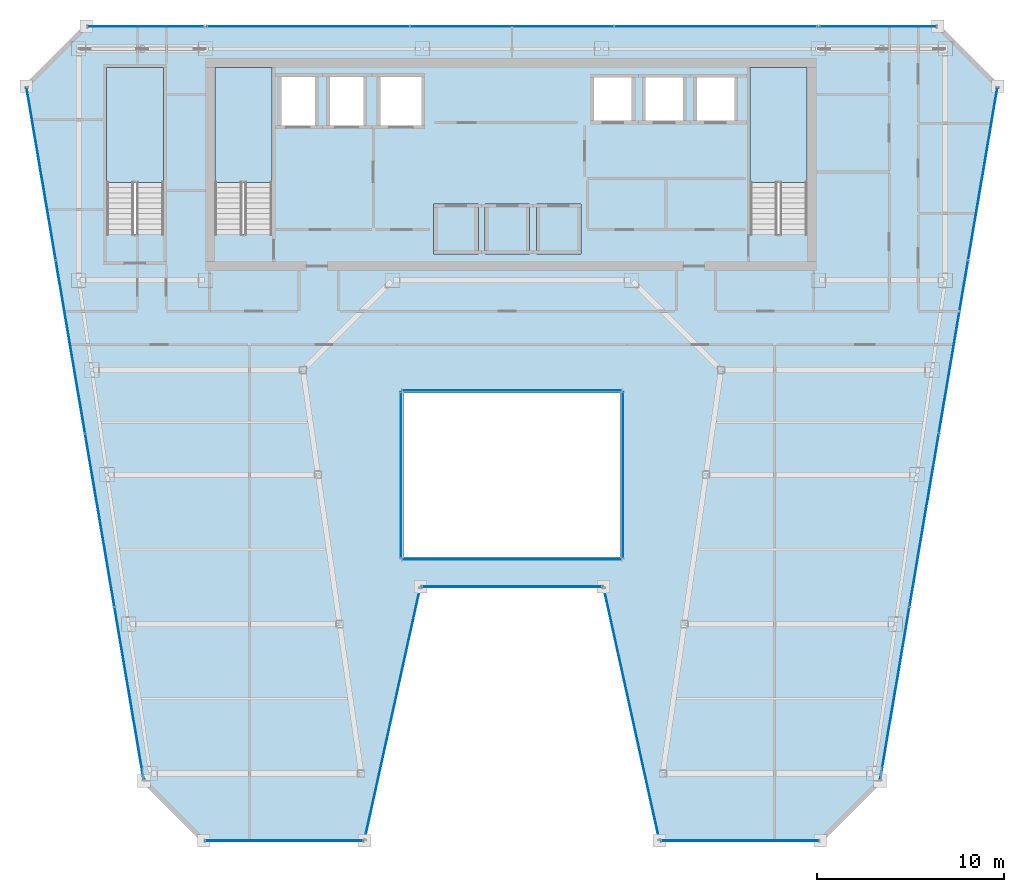
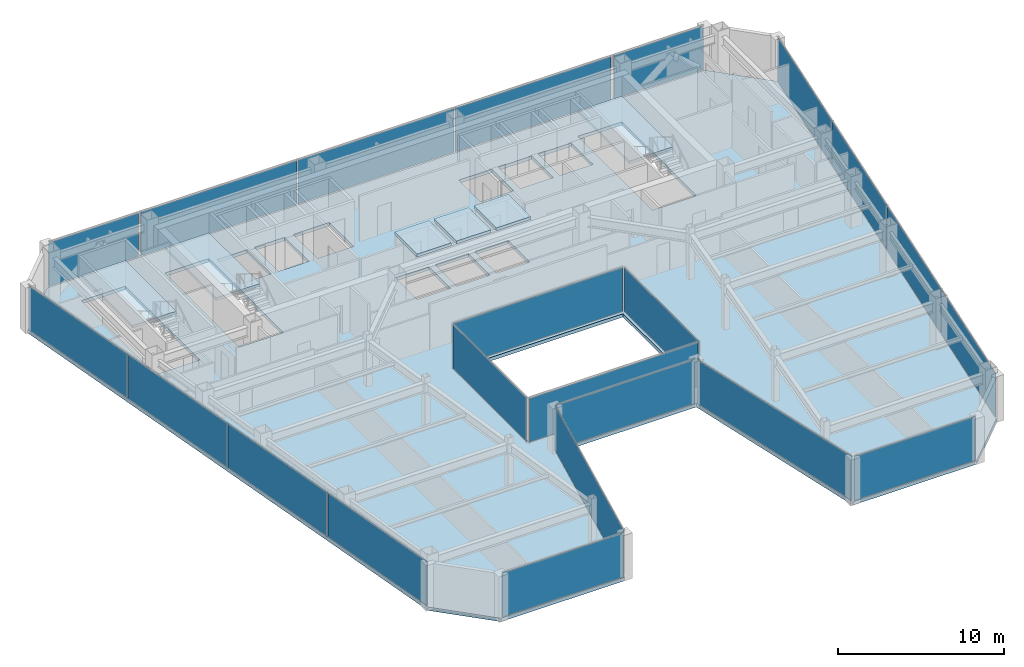
# One storey, part 26 of 34: 22 plates, 7 slabs, 17 elements without a shape of their own.
"""IFC4 building model written with IfcOpenShell, lengths in metres."""

import ifcopenshell
import ifcopenshell.guid

model = None  # the IFC model being written
_history = None  # IfcOwnerHistory: only IFC2X3 demands one
_inside = {}  # id of a spatial element -> (the spatial element, [elements in it])
_under = {}  # id of a project, library or spatial element -> (it, [spatial elements below it])
_declared = {}  # id of a project -> (the project, [libraries it declares])
_typed = {}  # id of a type object -> (the type object, [elements of that type])
_made_of = {}  # id of a material, layer set ... -> (it, [elements and type objects made of it])


def new_model(schema):
    """Start an empty IFC model of exactly this schema.

    Asked for "IFC4X3", IfcOpenShell would pick the latest addendum, in which some entities
    have other attributes; the version numbers below select the first issue.
    IFC2X3 requires an IfcOwnerHistory on every rooted entity: one is made here for all.
    """
    global model, _history
    if schema == "IFC4X3":
        model = ifcopenshell.file(schema_version=(4, 3, 0, 0))
    else:
        model = ifcopenshell.file(schema=schema)
    _inside.clear()
    _under.clear()
    _declared.clear()
    _typed.clear()
    _made_of.clear()
    _history = None
    if model.schema == "IFC2X3":
        org = make("IfcOrganization", Name="unknown")
        user = make(
            "IfcPersonAndOrganization",
            ThePerson=make("IfcPerson", FamilyName="unknown"),
            TheOrganization=org,
        )
        app = make(
            "IfcApplication",
            ApplicationDeveloper=org,
            Version="unknown",
            ApplicationFullName="unknown",
            ApplicationIdentifier="unknown",
        )
        _history = make(
            "IfcOwnerHistory",
            OwningUser=user,
            OwningApplication=app,
            ChangeAction="ADDED",
            CreationDate=0,
        )
    return model


def make(cls, **values):
    """One entity of the class cls with the attributes given. An attribute that is None is left unset."""
    return model.create_entity(
        cls, **{name: value for name, value in values.items() if value is not None}
    )


def rooted(cls, **values):
    """An entity with a GlobalId (a new one), such as an element, a storey or a relation."""
    return make(cls, GlobalId=ifcopenshell.guid.new(), OwnerHistory=_history, **values)


def si_unit(unit_type, name, prefix=None):
    """IfcSIUnit, for example si_unit("LENGTHUNIT", "METRE", prefix="MILLI")."""
    return make("IfcSIUnit", UnitType=unit_type, Prefix=prefix, Name=name)


def assignment(units):
    """IfcUnitAssignment: the units of a project."""
    return None if units is None else make("IfcUnitAssignment", Units=units)


def point(xyz):
    """IfcCartesianPoint."""
    return None if xyz is None else make("IfcCartesianPoint", Coordinates=xyz)


def direction(xyz):
    """IfcDirection."""
    return None if xyz is None else make("IfcDirection", DirectionRatios=xyz)


def frame(location, z_axis=None, x_axis=None):
    """IfcAxis2Placement3D, a coordinate frame: its origin and axes. An axis left out is left unset."""
    return make(
        "IfcAxis2Placement3D",
        Location=point(location),
        Axis=direction(z_axis),
        RefDirection=direction(x_axis),
    )


def frame_2d(location, x_axis=None):
    """IfcAxis2Placement2D, a coordinate frame in the plane: its origin and x axis."""
    return make(
        "IfcAxis2Placement2D", Location=point(location), RefDirection=direction(x_axis)
    )


def origin():
    """The frame at (0, 0, 0) with its axes left unset."""
    return frame((0.0, 0.0, 0.0))


def origin_2d():
    """The frame at (0, 0) in the plane with its x axis left unset."""
    return frame_2d((0.0, 0.0))


def place(relative_to, where):
    """IfcLocalPlacement: puts the frame where relative to a parent placement (None: the world)."""
    return make(
        "IfcLocalPlacement", PlacementRelTo=relative_to, RelativePlacement=where
    )


def context(
    kind, dimensions, precision=None, world=None, true_north=None, identifier=None
):
    """IfcGeometricRepresentationContext, for example the 3D "Model" context."""
    return make(
        "IfcGeometricRepresentationContext",
        ContextIdentifier=identifier,
        ContextType=kind,
        CoordinateSpaceDimension=dimensions,
        Precision=precision,
        WorldCoordinateSystem=world,
        TrueNorth=true_north,
    )


def subcontext(parent, identifier, kind, view, scale=None):
    """IfcGeometricRepresentationSubContext, for example "Body" below "Model"."""
    return make(
        "IfcGeometricRepresentationSubContext",
        ContextIdentifier=identifier,
        ContextType=kind,
        ParentContext=parent,
        TargetScale=scale,
        TargetView=view,
    )


def project(units=None, contexts=None):
    """IfcProject with its units and contexts."""
    return rooted(
        "IfcProject",
        Name="project",
        RepresentationContexts=contexts,
        UnitsInContext=assignment(units),
    )


def spatial(cls, under=None, at=None, **own):
    """A site, building, storey or space (cls), placed at a placement, below another one or the project."""
    s = rooted(cls, ObjectPlacement=at, **own)
    if under is not None:
        _under.setdefault(under.id(), (under, []))[1].append(s)
    return s


def polyline(points):
    """IfcPolyline through the points."""
    return make("IfcPolyline", Points=[point(p) for p in points])


def profile(cls, at=None, kind="AREA", **sizes):
    """A parametric profile (cls). Its sizes go by their IFC names, for example OverallWidth=200.0."""
    return make(cls, ProfileType=kind, Position=at, **sizes)


def rectangle(**sizes):
    """IfcRectangleProfileDef."""
    return profile("IfcRectangleProfileDef", **sizes)


def outline(outer, holes=None, kind="AREA"):
    """IfcArbitraryClosedProfileDef: a profile drawn as a closed curve; with holes, ...WithVoids."""
    if holes is None:
        return make("IfcArbitraryClosedProfileDef", ProfileType=kind, OuterCurve=outer)
    return make(
        "IfcArbitraryProfileDefWithVoids",
        ProfileType=kind,
        OuterCurve=outer,
        InnerCurves=holes,
    )


def extrude(swept, where, along, depth):
    """IfcExtrudedAreaSolid: the profile swept, set in the frame where, extruded along a direction by depth."""
    return make(
        "IfcExtrudedAreaSolid",
        SweptArea=swept,
        Position=where,
        ExtrudedDirection=direction(along),
        Depth=depth,
    )


def shape(context_of_items, identifier, shape_type, items):
    """IfcShapeRepresentation: the items that make up one representation, for example the "Body"."""
    return make(
        "IfcShapeRepresentation",
        ContextOfItems=context_of_items,
        RepresentationIdentifier=identifier,
        RepresentationType=shape_type,
        Items=items,
    )


def material(Name=None, Category=None):
    """IfcMaterial."""
    return make("IfcMaterial", Name=Name, Category=Category)


def layer(
    of_material, thickness, ventilated=None, Name=None, Category=None, Priority=None
):
    """IfcMaterialLayer: one layer of a wall or slab, of a material (None: an air gap)."""
    return make(
        "IfcMaterialLayer",
        Material=of_material,
        LayerThickness=thickness,
        IsVentilated=ventilated,
        Name=Name,
        Category=Category,
        Priority=Priority,
    )


def layer_set(layers, Name=None):
    """IfcMaterialLayerSet."""
    return make("IfcMaterialLayerSet", MaterialLayers=layers, LayerSetName=Name)


def made_of(thing, what):
    """Note that an element or type object is made of a material, layer set ...; save() writes the relation."""
    if what is not None:
        _made_of.setdefault(what.id(), (what, []))[1].append(thing)
    return thing


def type_object(cls, material=None, **own):
    """A type object (cls), such as IfcWallType, which elements share."""
    return made_of(rooted(cls, **own), material)


def element(
    cls,
    number,
    at=None,
    inside=None,
    cuts=None,
    type_object=None,
    material=None,
    context=None,
    identifier="Body",
    shape_type=None,
    held_by="IfcProductDefinitionShape",
    body=None,
    shapes=None,
    **own,
):
    """One element of the class cls, such as IfcWall. Its Tag is "e" and its number.

    at: its placement. inside: the storey or other place that contains it. cuts: it is an
    opening in that element (IfcRelVoidsElement). A single representation is given by context,
    identifier, shape_type and body (its items); several are given by shapes. held_by: the class
    of the entity that holds the representations. save() writes the other relations.
    """
    e = rooted(cls, Tag="e%d" % number, ObjectPlacement=at, **own)
    if body is not None:
        shapes = [shape(context, identifier, shape_type, body)]
    if shapes is not None:
        e.Representation = make(held_by, Representations=shapes)
    if inside is not None:
        _inside.setdefault(inside.id(), (inside, []))[1].append(e)
    if cuts is not None:
        rooted(
            "IfcRelVoidsElement", RelatingBuildingElement=cuts, RelatedOpeningElement=e
        )
    if type_object is not None:
        _typed.setdefault(type_object.id(), (type_object, []))[1].append(e)
    return made_of(e, material)


def aggregate(whole, parts):
    """IfcRelAggregates: a whole, such as a stair, and the parts it consists of."""
    return rooted("IfcRelAggregates", RelatingObject=whole, RelatedObjects=parts)


def save(model, path):
    """Write the relations noted so far, then the file.

    IfcRelAggregates (storeys below a building ...), IfcRelContainedInSpatialStructure (elements
    in a storey), IfcRelDefinesByType, IfcRelAssociatesMaterial and IfcRelDeclares: one each for
    every whole, place, type object, material and project.
    """
    for whole, parts in _under.values():
        aggregate(whole, parts)
    for where, things in _inside.values():
        rooted(
            "IfcRelContainedInSpatialStructure",
            RelatedElements=things,
            RelatingStructure=where,
        )
    for kind, things in _typed.values():
        rooted("IfcRelDefinesByType", RelatedObjects=things, RelatingType=kind)
    for what, things in _made_of.values():
        rooted("IfcRelAssociatesMaterial", RelatedObjects=things, RelatingMaterial=what)
    for by, libraries in _declared.values():
        rooted("IfcRelDeclares", RelatingContext=by, RelatedDefinitions=libraries)
    model.write(path)


model = new_model("IFC4")

# Units and contexts
model_context = context("Model", 3, precision=1e-05, world=origin(), true_north=direction((0.0, 1.0)))
body_context = subcontext(model_context, "Body", "Model", "MODEL_VIEW")
ifc_project = project(units=[si_unit("LENGTHUNIT", "METRE"), si_unit("AREAUNIT", "SQUARE_METRE"), si_unit("VOLUMEUNIT", "CUBIC_METRE"), si_unit("PLANEANGLEUNIT", "RADIAN"), si_unit("MASSUNIT", "GRAM", prefix="KILO")], contexts=[model_context])

# Site, building, storey
site_placement = place(None, origin())
site = spatial("IfcSite", under=ifc_project, at=site_placement, CompositionType="ELEMENT")
building_placement = place(site_placement, origin())
building = spatial("IfcBuilding", under=site, at=building_placement, Name="Saevonmaru Cultural Tower", CompositionType="ELEMENT")
storey_placement = place(building_placement, frame((0.0, 0.0, 220.800048828125)))
storey = spatial("IfcBuildingStorey", under=building, at=storey_placement, Name="L51", CompositionType="ELEMENT", Elevation=220.800048828125)

# Curtain wall, plate
ifc_material_1 = material(Name="Satin Bronze Anodised Aluminium", Category="aluminium")
curtain_wall_type_1 = type_object("IfcCurtainWallType", Name="CW-ATR-GLZ", PredefinedType="NOTDEFINED", material=ifc_material_1)
curtain_wall_1_placement = place(storey_placement, origin())
curtain_wall_1 = element("IfcCurtainWall", 1, at=curtain_wall_1_placement, inside=storey, type_object=curtain_wall_type_1, Name="L51 Vertical Atrium Glazed Smoke Screen 1", PredefinedType="NOTDEFINED")
ifc_material_2 = material(Name="Fire-Rated Laminated Atrium Glass", Category="glass")
ifc_layer_1 = layer(ifc_material_2, 0.031982421875, Name="Fire-Rated Laminated Atrium Glass")
ifc_layer_set_1 = layer_set([ifc_layer_1], Name="Fire-Rated Laminated Atrium Glass")
plate_type_1 = type_object("IfcPlateType", Name="PN-GLZ-ATR-INT", PredefinedType="CURTAIN_PANEL", material=ifc_layer_set_1)
plate_1_placement = place(storey_placement, frame((30.0, 27.449951171875, 0.06689453125), z_axis=(0.0, 0.0, 1.0), x_axis=(1.0, 0.0, 0.0)))
plate_1 = element("IfcPlate", 2, at=plate_1_placement, type_object=plate_type_1, Name="CW-ATR-L51-1 panel 1.1", PredefinedType="CURTAIN_PANEL", context=body_context, shape_type="SweptSolid", body=[
    extrude(rectangle(XDim=11.7109375, YDim=0.031982421875, at=origin_2d()), origin(), (0.0, 0.0, 1.0), 3.216064453125),
])
aggregate(curtain_wall_1, [plate_1])

curtain_wall_2_placement = place(storey_placement, origin())
curtain_wall_2 = element("IfcCurtainWall", 3, at=curtain_wall_2_placement, inside=storey, type_object=curtain_wall_type_1, Name="L51 Vertical Atrium Glazed Smoke Screen 2", PredefinedType="NOTDEFINED")
plate_2_placement = place(storey_placement, frame((35.949951171875, 31.97998046875, 0.06689453125), z_axis=(0.0, 0.0, 1.0), x_axis=(0.0, 1.0, 0.0)))
plate_2 = element("IfcPlate", 4, at=plate_2_placement, type_object=plate_type_1, Name="CW-ATR-L51-2 panel 1.1", PredefinedType="CURTAIN_PANEL", context=body_context, shape_type="SweptSolid", body=[
    extrude(rectangle(XDim=8.87109375, YDim=0.031982421875, at=origin_2d()), origin(), (0.0, 0.0, 1.0), 3.216064453125),
])
aggregate(curtain_wall_2, [plate_2])

curtain_wall_3_placement = place(storey_placement, origin())
curtain_wall_3 = element("IfcCurtainWall", 5, at=curtain_wall_3_placement, inside=storey, type_object=curtain_wall_type_1, Name="L51 Vertical Atrium Glazed Smoke Screen 3", PredefinedType="NOTDEFINED")
plate_3_placement = place(storey_placement, frame((30.0, 36.510009765625, 0.06689453125), z_axis=(0.0, 0.0, 1.0), x_axis=(-1.0, 0.0, 0.0)))
plate_3 = element("IfcPlate", 6, at=plate_3_placement, type_object=plate_type_1, Name="CW-ATR-L51-3 panel 1.1", PredefinedType="CURTAIN_PANEL", context=body_context, shape_type="SweptSolid", body=[
    extrude(rectangle(XDim=11.7109375, YDim=0.031982421875, at=origin_2d()), origin(), (0.0, 0.0, 1.0), 3.216064453125),
])
aggregate(curtain_wall_3, [plate_3])

curtain_wall_4_placement = place(storey_placement, origin())
curtain_wall_4 = element("IfcCurtainWall", 7, at=curtain_wall_4_placement, inside=storey, type_object=curtain_wall_type_1, Name="L51 Vertical Atrium Glazed Smoke Screen 4", PredefinedType="NOTDEFINED")
plate_4_placement = place(storey_placement, frame((24.050048828125, 31.97998046875, 0.06689453125), z_axis=(0.0, 0.0, 1.0), x_axis=(0.0, -1.0, 0.0)))
plate_4 = element("IfcPlate", 8, at=plate_4_placement, type_object=plate_type_1, Name="CW-ATR-L51-4 panel 1.1", PredefinedType="CURTAIN_PANEL", context=body_context, shape_type="SweptSolid", body=[
    extrude(rectangle(XDim=8.87109375, YDim=0.031982421875, at=origin_2d()), origin(), (0.0, 0.0, 1.0), 3.216064453125),
])
aggregate(curtain_wall_4, [plate_4])

curtain_wall_type_2 = type_object("IfcCurtainWallType", Name="CW-TYP-B", PredefinedType="NOTDEFINED", material=ifc_material_1)
curtain_wall_5_placement = place(storey_placement, origin())
curtain_wall_5 = element("IfcCurtainWall", 9, at=curtain_wall_5_placement, inside=storey, type_object=curtain_wall_type_2, Name="L51 Unitised Curtain Wall E2", PredefinedType="NOTDEFINED")
ifc_material_3 = material(Name="Triple Silver Low-E Insulating Glass", Category="glass")
ifc_layer_2 = layer(ifc_material_3, 0.035888671875, Name="Triple Silver Low-E Insulating Glass")
ifc_layer_set_2 = layer_set([ifc_layer_2], Name="Triple Silver Low-E Insulating Glass")
plate_type_2 = type_object("IfcPlateType", Name="PN-GLZ-IGU", PredefinedType="CURTAIN_PANEL", material=ifc_layer_set_2)
plate_5_placement = place(storey_placement, frame((17.7978515625, 12.39990234375, 0.06689453125), z_axis=(0.0, 0.0, 1.0), x_axis=(1.0, 0.0, 0.0)))
plate_5 = element("IfcPlate", 10, at=plate_5_placement, type_object=plate_type_2, Name="CW-TW-L51-E2 panel 1.1", PredefinedType="CURTAIN_PANEL", context=body_context, shape_type="SweptSolid", body=[
    extrude(rectangle(XDim=8.410888671875, YDim=0.035888671875, at=origin_2d()), origin(), (0.0, 0.0, 1.0), 3.216064453125),
])
aggregate(curtain_wall_5, [plate_5])

curtain_wall_6_placement = place(storey_placement, origin())
curtain_wall_6 = element("IfcCurtainWall", 11, at=curtain_wall_6_placement, inside=storey, type_object=curtain_wall_type_2, Name="L51 Unitised Curtain Wall E3", PredefinedType="NOTDEFINED")
plate_6_placement = place(storey_placement, frame((23.597900390625, 19.199951171875, 0.06689453125), z_axis=(0.0, 0.0, 1.0), x_axis=(0.215413319953, 0.976522965212, 0.0)))
plate_6 = element("IfcPlate", 12, at=plate_6_placement, type_object=plate_type_2, Name="CW-TW-L51-E3 panel 1.1", PredefinedType="CURTAIN_PANEL", context=body_context, shape_type="SweptSolid", body=[
    extrude(rectangle(XDim=13.738037109375, YDim=0.035888671875, at=origin_2d()), origin(), (0.0, 0.0, 1.0), 3.216064453125),
])
aggregate(curtain_wall_6, [plate_6])

curtain_wall_7_placement = place(storey_placement, origin())
curtain_wall_7 = element("IfcCurtainWall", 13, at=curtain_wall_7_placement, inside=storey, type_object=curtain_wall_type_2, Name="L51 Unitised Curtain Wall E4", PredefinedType="NOTDEFINED")
plate_7_placement = place(storey_placement, frame((30.0, 26.0, 0.06689453125), z_axis=(0.0, 0.0, 1.0), x_axis=(1.0, 0.0, 0.0)))
plate_7 = element("IfcPlate", 14, at=plate_7_placement, type_object=plate_type_2, Name="CW-TW-L51-E4 panel 1.1", PredefinedType="CURTAIN_PANEL", context=body_context, shape_type="SweptSolid", body=[
    extrude(rectangle(XDim=9.615478515625, YDim=0.035888671875, at=origin_2d()), origin(), (0.0, 0.0, 1.0), 3.216064453125),
])
aggregate(curtain_wall_7, [plate_7])

curtain_wall_8_placement = place(storey_placement, origin())
curtain_wall_8 = element("IfcCurtainWall", 15, at=curtain_wall_8_placement, inside=storey, type_object=curtain_wall_type_2, Name="L51 Unitised Curtain Wall E5", PredefinedType="NOTDEFINED")
plate_8_placement = place(storey_placement, frame((36.402099609375, 19.199951171875, 0.06689453125), z_axis=(0.0, 0.0, 1.0), x_axis=(0.215413319953, -0.976522965212, 0.0)))
plate_8 = element("IfcPlate", 16, at=plate_8_placement, type_object=plate_type_2, Name="CW-TW-L51-E5 panel 1.1", PredefinedType="CURTAIN_PANEL", context=body_context, shape_type="SweptSolid", body=[
    extrude(rectangle(XDim=13.738037109375, YDim=0.035888671875, at=origin_2d()), origin(), (0.0, 0.0, 1.0), 3.216064453125),
])
aggregate(curtain_wall_8, [plate_8])

curtain_wall_9_placement = place(storey_placement, origin())
curtain_wall_9 = element("IfcCurtainWall", 17, at=curtain_wall_9_placement, inside=storey, type_object=curtain_wall_type_2, Name="L51 Unitised Curtain Wall E6", PredefinedType="NOTDEFINED")
plate_9_placement = place(storey_placement, frame((42.2021484375, 12.39990234375, 0.06689453125), z_axis=(0.0, 0.0, 1.0), x_axis=(1.0, 0.0, 0.0)))
plate_9 = element("IfcPlate", 18, at=plate_9_placement, type_object=plate_type_2, Name="CW-TW-L51-E6 panel 1.1", PredefinedType="CURTAIN_PANEL", context=body_context, shape_type="SweptSolid", body=[
    extrude(rectangle(XDim=8.410888671875, YDim=0.035888671875, at=origin_2d()), origin(), (0.0, 0.0, 1.0), 3.216064453125),
])
aggregate(curtain_wall_9, [plate_9])

# Curtain wall, plates
curtain_wall_10_placement = place(storey_placement, origin())
curtain_wall_10 = element("IfcCurtainWall", 19, at=curtain_wall_10_placement, inside=storey, type_object=curtain_wall_type_2, Name="L51 Unitised Curtain Wall E8", PredefinedType="NOTDEFINED")
plate_10_placement = place(storey_placement, frame((50.496826171875, 20.29443359375, 0.06689453125), z_axis=(0.0, 0.0, 1.0), x_axis=(0.16692169721, 0.985970155228, 0.0)))
plate_10 = element("IfcPlate", 20, at=plate_10_placement, type_object=plate_type_2, Name="CW-TW-L51-E8 panel 1.1", PredefinedType="CURTAIN_PANEL", context=body_context, shape_type="SweptSolid", body=[
    extrude(rectangle(XDim=9.333251953125, YDim=0.035888671875, at=origin_2d()), origin(), (0.0, 0.0, 1.0), 3.216064453125),
])
plate_11_placement = place(storey_placement, frame((52.06640625, 29.564697265625, 0.06689453125), z_axis=(0.0, 0.0, 1.0), x_axis=(0.16692169721, 0.985970155228, 0.0)))
plate_11 = element("IfcPlate", 21, at=plate_11_placement, type_object=plate_type_2, Name="CW-TW-L51-E8 panel 2.1", PredefinedType="CURTAIN_PANEL", context=body_context, shape_type="SweptSolid", body=[
    extrude(rectangle(XDim=9.333251953125, YDim=0.035888671875, at=origin_2d()), origin(), (0.0, 0.0, 1.0), 3.216064453125),
])
plate_12_placement = place(storey_placement, frame((53.6357421875, 38.835205078125, 0.06689453125), z_axis=(0.0, 0.0, 1.0), x_axis=(0.16692169721, 0.985970155228, 0.0)))
plate_12 = element("IfcPlate", 22, at=plate_12_placement, type_object=plate_type_2, Name="CW-TW-L51-E8 panel 3.1", PredefinedType="CURTAIN_PANEL", context=body_context, shape_type="SweptSolid", body=[
    extrude(rectangle(XDim=9.333251953125, YDim=0.035888671875, at=origin_2d()), origin(), (0.0, 0.0, 1.0), 3.216064453125),
])
plate_13_placement = place(storey_placement, frame((55.205322265625, 48.105712890625, 0.06689453125), z_axis=(0.0, 0.0, 1.0), x_axis=(0.16692169721, 0.985970155228, 0.0)))
plate_13 = element("IfcPlate", 23, at=plate_13_placement, type_object=plate_type_2, Name="CW-TW-L51-E8 panel 4.1", PredefinedType="CURTAIN_PANEL", context=body_context, shape_type="SweptSolid", body=[
    extrude(rectangle(XDim=9.333251953125, YDim=0.035888671875, at=origin_2d()), origin(), (0.0, 0.0, 1.0), 3.216064453125),
])
aggregate(curtain_wall_10, [plate_10, plate_11, plate_12, plate_13])

curtain_wall_11_placement = place(storey_placement, origin())
curtain_wall_11 = element("IfcCurtainWall", 24, at=curtain_wall_11_placement, inside=storey, type_object=curtain_wall_type_2, Name="L51 North Spine Unitised Curtain Wall E10B", PredefinedType="NOTDEFINED")
plate_14_placement = place(storey_placement, frame((40.893310546875, 56.0, 0.06689453125), z_axis=(0.0, 0.0, 1.0), x_axis=(-1.0, 0.0, 0.0)))
plate_14 = element("IfcPlate", 25, at=plate_14_placement, type_object=plate_type_2, Name="CW-TW-L51-E10B panel 1.1", PredefinedType="CURTAIN_PANEL", context=body_context, shape_type="SweptSolid", body=[
    extrude(rectangle(XDim=10.82421875, YDim=0.035888671875, at=origin_2d()), origin(), (0.0, 0.0, 1.0), 3.216064453125),
])
plate_15_placement = place(storey_placement, frame((30.0, 56.0, 0.06689453125), z_axis=(0.0, 0.0, 1.0), x_axis=(-1.0, 0.0, 0.0)))
plate_15 = element("IfcPlate", 26, at=plate_15_placement, type_object=plate_type_2, Name="CW-TW-L51-E10B panel 2.1", PredefinedType="CURTAIN_PANEL", context=body_context, shape_type="SweptSolid", body=[
    extrude(rectangle(XDim=10.82421875, YDim=0.035888671875, at=origin_2d()), origin(), (0.0, 0.0, 1.0), 3.216064453125),
])
plate_16_placement = place(storey_placement, frame((19.106689453125, 56.0, 0.06689453125), z_axis=(0.0, 0.0, 1.0), x_axis=(-1.0, 0.0, 0.0)))
plate_16 = element("IfcPlate", 27, at=plate_16_placement, type_object=plate_type_2, Name="CW-TW-L51-E10B panel 3.1", PredefinedType="CURTAIN_PANEL", context=body_context, shape_type="SweptSolid", body=[
    extrude(rectangle(XDim=10.82421875, YDim=0.035888671875, at=origin_2d()), origin(), (0.0, 0.0, 1.0), 3.216064453125),
])
aggregate(curtain_wall_11, [plate_14, plate_15, plate_16])

curtain_wall_12_placement = place(storey_placement, origin())
curtain_wall_12 = element("IfcCurtainWall", 28, at=curtain_wall_12_placement, inside=storey, type_object=curtain_wall_type_2, Name="L51 Unitised Curtain Wall E12", PredefinedType="NOTDEFINED")
plate_17_placement = place(storey_placement, frame((4.794677734375, 48.105712890625, 0.06689453125), z_axis=(0.0, 0.0, 1.0), x_axis=(0.16692169721, -0.985970155228, 0.0)))
plate_17 = element("IfcPlate", 29, at=plate_17_placement, type_object=plate_type_2, Name="CW-TW-L51-E12 panel 1.1", PredefinedType="CURTAIN_PANEL", context=body_context, shape_type="SweptSolid", body=[
    extrude(rectangle(XDim=9.333251953125, YDim=0.035888671875, at=origin_2d()), origin(), (0.0, 0.0, 1.0), 3.216064453125),
])
plate_18_placement = place(storey_placement, frame((6.3642578125, 38.835205078125, 0.06689453125), z_axis=(0.0, 0.0, 1.0), x_axis=(0.16692169721, -0.985970155228, 0.0)))
plate_18 = element("IfcPlate", 30, at=plate_18_placement, type_object=plate_type_2, Name="CW-TW-L51-E12 panel 2.1", PredefinedType="CURTAIN_PANEL", context=body_context, shape_type="SweptSolid", body=[
    extrude(rectangle(XDim=9.333251953125, YDim=0.035888671875, at=origin_2d()), origin(), (0.0, 0.0, 1.0), 3.216064453125),
])
plate_19_placement = place(storey_placement, frame((7.93359375, 29.564697265625, 0.06689453125), z_axis=(0.0, 0.0, 1.0), x_axis=(0.16692169721, -0.985970155228, 0.0)))
plate_19 = element("IfcPlate", 31, at=plate_19_placement, type_object=plate_type_2, Name="CW-TW-L51-E12 panel 3.1", PredefinedType="CURTAIN_PANEL", context=body_context, shape_type="SweptSolid", body=[
    extrude(rectangle(XDim=9.333251953125, YDim=0.035888671875, at=origin_2d()), origin(), (0.0, 0.0, 1.0), 3.216064453125),
])
plate_20_placement = place(storey_placement, frame((9.503173828125, 20.29443359375, 0.06689453125), z_axis=(0.0, 0.0, 1.0), x_axis=(0.16692169721, -0.985970155228, 0.0)))
plate_20 = element("IfcPlate", 32, at=plate_20_placement, type_object=plate_type_2, Name="CW-TW-L51-E12 panel 4.1", PredefinedType="CURTAIN_PANEL", context=body_context, shape_type="SweptSolid", body=[
    extrude(rectangle(XDim=9.333251953125, YDim=0.035888671875, at=origin_2d()), origin(), (0.0, 0.0, 1.0), 3.216064453125),
])
aggregate(curtain_wall_12, [plate_17, plate_18, plate_19, plate_20])

# Curtain wall, plate
curtain_wall_13_placement = place(storey_placement, origin())
curtain_wall_13 = element("IfcCurtainWall", 33, at=curtain_wall_13_placement, inside=storey, type_object=curtain_wall_type_2, Name="L51 East Braced Bay Spandrel Curtain Wall E10A", PredefinedType="NOTDEFINED")
ifc_material_4 = material(Name="Insulated Satin Bronze Aluminium Spandrel Panel", Category="aluminium")
ifc_layer_3 = layer(ifc_material_4, 0.0400390625, Name="Insulated Satin Bronze Aluminium Spandrel Panel")
ifc_layer_set_3 = layer_set([ifc_layer_3], Name="Insulated Satin Bronze Aluminium Spandrel Panel")
plate_type_3 = type_object("IfcPlateType", Name="PN-SPANDREL-BRONZE", PredefinedType="CURTAIN_PANEL", material=ifc_layer_set_3)
plate_21_placement = place(storey_placement, frame((49.60009765625, 56.0, 0.06689453125), z_axis=(0.0, 0.0, 1.0), x_axis=(-1.0, 0.0, 0.0)))
plate_21 = element("IfcPlate", 34, at=plate_21_placement, type_object=plate_type_3, Name="CW-TW-L51-E10A panel 1.1", PredefinedType="CURTAIN_PANEL", context=body_context, shape_type="SweptSolid", body=[
    extrude(rectangle(XDim=6.2109375, YDim=0.035888671875, at=origin_2d()), origin(), (0.0, 0.0, 1.0), 3.216064453125),
])
aggregate(curtain_wall_13, [plate_21])

curtain_wall_14_placement = place(storey_placement, origin())
curtain_wall_14 = element("IfcCurtainWall", 35, at=curtain_wall_14_placement, inside=storey, type_object=curtain_wall_type_2, Name="L51 West Braced Bay Spandrel Curtain Wall E10C", PredefinedType="NOTDEFINED")
plate_22_placement = place(storey_placement, frame((10.39990234375, 56.0, 0.06689453125), z_axis=(0.0, 0.0, 1.0), x_axis=(-1.0, 0.0, 0.0)))
plate_22 = element("IfcPlate", 36, at=plate_22_placement, type_object=plate_type_3, Name="CW-TW-L51-E10C panel 1.1", PredefinedType="CURTAIN_PANEL", context=body_context, shape_type="SweptSolid", body=[
    extrude(rectangle(XDim=6.2109375, YDim=0.035888671875, at=origin_2d()), origin(), (0.0, 0.0, 1.0), 3.216064453125),
])
aggregate(curtain_wall_14, [plate_22])

# Slabs
ifc_material_5 = material(Name="Concrete C40/50", Category="concrete")
ifc_layer_4 = layer(ifc_material_5, 0.25, Name="Concrete C40/50")
ifc_layer_set_4 = layer_set([ifc_layer_4], Name="Concrete C40/50")
slab_type_1 = type_object("IfcSlabType", Name="SL-FLR-250", PredefinedType="FLOOR", material=ifc_layer_set_4)
slab_1_placement = place(storey_placement, frame((0.0, 0.0, -0.25)))
element("IfcSlab", 37, at=slab_1_placement, inside=storey, type_object=slab_type_1, Name="L51 Tower Structural Floor Slab", PredefinedType="FLOOR", context=body_context, shape_type="SweptSolid", body=[
    extrude(outline(polyline([(10.2978515625, 15.60009765625), (13.497802734375, 12.39990234375), (22.097900390625, 12.39990234375), (25.097900390625, 26.0), (34.902099609375, 26.0), (37.902099609375, 12.39990234375), (46.502197265625, 12.39990234375), (49.7021484375, 15.60009765625), (56.0, 52.800048828125), (52.800048828125, 56.0), (7.199951171875, 56.0), (4.0, 52.800048828125), (10.2978515625, 15.60009765625)]), holes=[polyline([(45.800048828125, 44.875), (42.75, 44.875), (42.75, 53.800048828125), (45.800048828125, 53.800048828125), (45.800048828125, 44.875)]), polyline([(39.75, 50.800048828125), (39.75, 53.39990234375), (42.050048828125, 53.39990234375), (42.050048828125, 50.800048828125), (39.75, 50.800048828125)]), polyline([(37.0, 50.800048828125), (37.0, 53.39990234375), (39.300048828125, 53.39990234375), (39.300048828125, 50.800048828125), (37.0, 50.800048828125)]), polyline([(34.25, 50.800048828125), (34.25, 53.39990234375), (36.550048828125, 53.39990234375), (36.550048828125, 50.800048828125), (34.25, 50.800048828125)]), polyline([(24.199951171875, 27.60009765625), (24.199951171875, 36.360107421875), (35.800048828125, 36.360107421875), (35.800048828125, 27.60009765625), (24.199951171875, 27.60009765625)]), polyline([(31.35009765625, 43.85009765625), (31.35009765625, 46.449951171875), (33.64990234375, 46.449951171875), (33.64990234375, 43.85009765625), (31.35009765625, 43.85009765625)]), polyline([(28.60009765625, 43.85009765625), (28.60009765625, 46.449951171875), (30.89990234375, 46.449951171875), (30.89990234375, 43.85009765625), (28.60009765625, 43.85009765625)]), polyline([(28.14990234375, 43.85009765625), (25.85009765625, 43.85009765625), (25.85009765625, 46.449951171875), (28.14990234375, 46.449951171875), (28.14990234375, 43.85009765625)]), polyline([(25.300048828125, 50.550048828125), (22.800048828125, 50.550048828125), (22.800048828125, 53.449951171875), (25.300048828125, 53.449951171875), (25.300048828125, 50.550048828125)]), polyline([(20.10009765625, 50.550048828125), (20.10009765625, 53.449951171875), (22.199951171875, 53.449951171875), (22.199951171875, 50.550048828125), (20.10009765625, 50.550048828125)]), polyline([(17.5, 50.550048828125), (17.5, 53.449951171875), (19.60009765625, 53.449951171875), (19.60009765625, 50.550048828125), (17.5, 50.550048828125)]), polyline([(17.14990234375, 53.800048828125), (17.14990234375, 44.875), (14.10009765625, 44.875), (14.10009765625, 53.800048828125), (17.14990234375, 53.800048828125)]), polyline([(11.35009765625, 44.875), (8.300048828125, 44.875), (8.300048828125, 53.800048828125), (11.35009765625, 53.800048828125), (11.35009765625, 44.875)])]), origin(), (0.0, 0.0, 1.0), 0.25),
])
ifc_layer_5 = layer(ifc_material_5, 0.219970703125, Name="Concrete C40/50")
ifc_layer_set_5 = layer_set([ifc_layer_5], Name="Concrete C40/50")
slab_type_2 = type_object("IfcSlabType", Name="SL-SHAFT-CAP-220", PredefinedType="ROOF", material=ifc_layer_set_5)
slab_2_placement = place(storey_placement, frame((0.0, 0.0, 3.1298828125)))
element("IfcSlab", 38, at=slab_2_placement, inside=storey, type_object=slab_type_2, Name="Lift PL-M1 Overrun Cap Slab", PredefinedType="ROOF", context=body_context, shape_type="SweptSolid", body=[
    extrude(outline(polyline([(25.800048828125, 43.800048828125), (28.199951171875, 43.800048828125), (28.199951171875, 46.5), (25.800048828125, 46.5), (25.800048828125, 43.800048828125)])), origin(), (0.0, 0.0, 1.0), 0.219970703125),
])
slab_3_placement = place(storey_placement, frame((0.0, 0.0, 3.1298828125)))
element("IfcSlab", 39, at=slab_3_placement, inside=storey, type_object=slab_type_2, Name="Lift PL-M2 Overrun Cap Slab", PredefinedType="ROOF", context=body_context, shape_type="SweptSolid", body=[
    extrude(outline(polyline([(28.550048828125, 43.800048828125), (30.949951171875, 43.800048828125), (30.949951171875, 46.5), (28.550048828125, 46.5), (28.550048828125, 43.800048828125)])), origin(), (0.0, 0.0, 1.0), 0.219970703125),
])
slab_4_placement = place(storey_placement, frame((0.0, 0.0, 3.1298828125)))
element("IfcSlab", 40, at=slab_4_placement, inside=storey, type_object=slab_type_2, Name="Lift PL-M3 Overrun Cap Slab", PredefinedType="ROOF", context=body_context, shape_type="SweptSolid", body=[
    extrude(outline(polyline([(31.300048828125, 43.800048828125), (33.699951171875, 43.800048828125), (33.699951171875, 46.5), (31.300048828125, 46.5), (31.300048828125, 43.800048828125)])), origin(), (0.0, 0.0, 1.0), 0.219970703125),
])

# Stair, slab
stair_type = type_object("IfcStairType", Name="STR-DOGLEG-RC", PredefinedType="HALF_TURN_STAIR", material=ifc_material_5)
stair_1_placement = place(storey_placement, origin())
stair_1 = element("IfcStair", 41, at=stair_1_placement, inside=storey, type_object=stair_type, Name="L51 Protected exit stair ST-1", PredefinedType="HALF_TURN_STAIR")
ifc_layer_6 = layer(ifc_material_5, 0.199951171875, Name="Concrete C40/50")
ifc_layer_set_6 = layer_set([ifc_layer_6], Name="Concrete C40/50")
slab_type_3 = type_object("IfcSlabType", Name="SL-STAIR-LANDING", PredefinedType="LANDING", material=ifc_layer_set_6)
slab_5_placement = place(storey_placement, frame((0.0, 0.0, 1.699951171875)))
slab_5 = element("IfcSlab", 42, at=slab_5_placement, type_object=slab_type_3, Name="ST-1-L51 landing 1", PredefinedType="LANDING", context=body_context, shape_type="SweptSolid", body=[
    extrude(outline(polyline([(17.14990234375, 47.64990234375), (17.14990234375, 53.800048828125), (14.10009765625, 53.800048828125), (14.10009765625, 47.64990234375), (17.14990234375, 47.64990234375)])), origin(), (0.0, 0.0, 1.0), 0.199951171875),
])
aggregate(stair_1, [slab_5])

stair_2_placement = place(storey_placement, origin())
stair_2 = element("IfcStair", 43, at=stair_2_placement, inside=storey, type_object=stair_type, Name="L51 Protected exit stair ST-2", PredefinedType="HALF_TURN_STAIR")
slab_6_placement = place(storey_placement, frame((0.0, 0.0, 1.699951171875)))
slab_6 = element("IfcSlab", 44, at=slab_6_placement, type_object=slab_type_3, Name="ST-2-L51 landing 1", PredefinedType="LANDING", context=body_context, shape_type="SweptSolid", body=[
    extrude(outline(polyline([(45.800048828125, 47.64990234375), (45.800048828125, 53.800048828125), (42.75, 53.800048828125), (42.75, 47.64990234375), (45.800048828125, 47.64990234375)])), origin(), (0.0, 0.0, 1.0), 0.199951171875),
])
aggregate(stair_2, [slab_6])

stair_3_placement = place(storey_placement, origin())
stair_3 = element("IfcStair", 45, at=stair_3_placement, inside=storey, type_object=stair_type, Name="L51 Protected exit stair ST-3", PredefinedType="HALF_TURN_STAIR")
slab_7_placement = place(storey_placement, frame((0.0, 0.0, 1.699951171875)))
slab_7 = element("IfcSlab", 46, at=slab_7_placement, type_object=slab_type_3, Name="ST-3-L51 landing 1", PredefinedType="LANDING", context=body_context, shape_type="SweptSolid", body=[
    extrude(outline(polyline([(11.35009765625, 47.64990234375), (11.35009765625, 53.800048828125), (8.300048828125, 53.800048828125), (8.300048828125, 47.64990234375), (11.35009765625, 47.64990234375)])), origin(), (0.0, 0.0, 1.0), 0.199951171875),
])
aggregate(stair_3, [slab_7])

save(model, "model.ifc")
